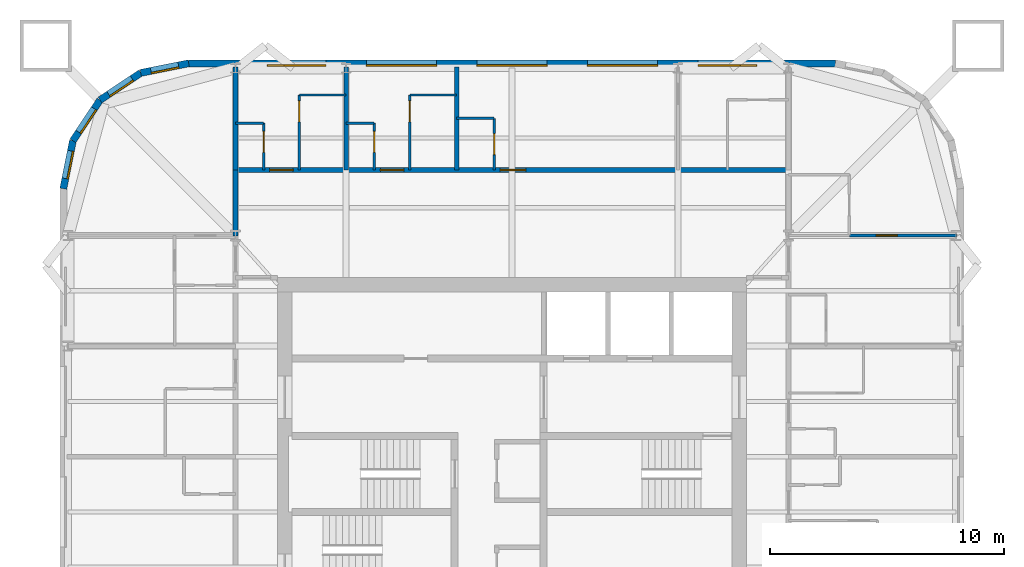
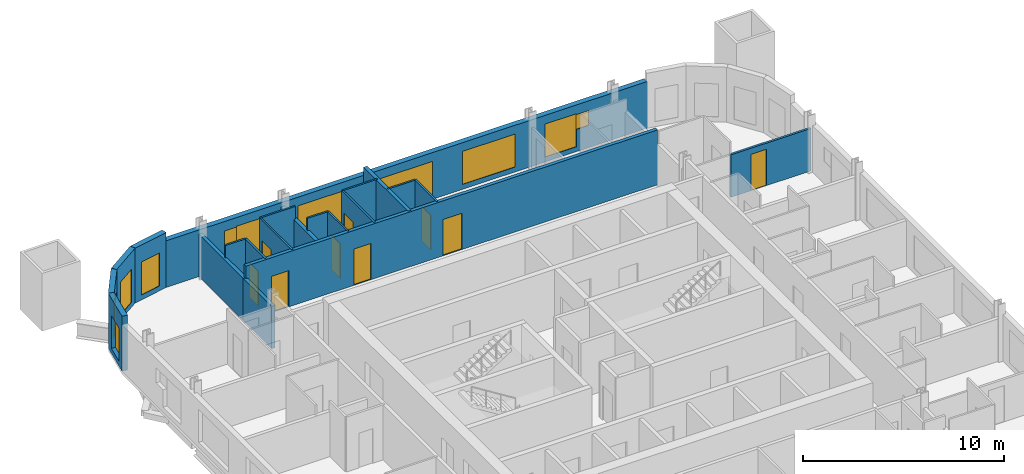
# One storey, part 7 of 9: 21 walls, 11 windows, 9 doors, 20 openings.
"""IFC4 building model written with IfcOpenShell, lengths in metres."""

from ifc_helpers import new_model, si_unit, direction, frame, frame_2d, origin, place, context, subcontext, project, spatial, rectangle, extrude, material, layer, layer_set, type_object, element, fill, save


model = new_model("IFC4")

# Units and contexts
model_context = context("Model", 3, precision=1e-05, world=origin(), true_north=direction((0.0, 1.0)))
body_context = subcontext(model_context, "Body", "Model", "MODEL_VIEW")
ifc_project = project(units=[si_unit("LENGTHUNIT", "METRE"), si_unit("AREAUNIT", "SQUARE_METRE"), si_unit("VOLUMEUNIT", "CUBIC_METRE"), si_unit("PLANEANGLEUNIT", "RADIAN"), si_unit("MASSUNIT", "GRAM", prefix="KILO")], contexts=[model_context])

# Site, building, storey
site_placement = place(None, origin())
site = spatial("IfcSite", under=ifc_project, at=site_placement, CompositionType="ELEMENT")
building_placement = place(site_placement, origin())
building = spatial("IfcBuilding", under=site, at=building_placement, Name="Turquesa Mirador Hotel Tower", CompositionType="ELEMENT")
storey_placement = place(building_placement, frame((0.0, 0.0, 207.300048828125)))
storey = spatial("IfcBuildingStorey", under=building, at=storey_placement, Name="L56", CompositionType="ELEMENT", Elevation=207.300048828125)

# Walls
ifc_material_1 = material(Name="Gypsum board on steel studs", Category="steel")
ifc_layer_1 = layer(ifc_material_1, 0.10009765625)
ifc_layer_set_1 = layer_set([ifc_layer_1], Name="BATHROOM WALL 100")
wall_type_1 = type_object("IfcWallType", Name="BATHROOM WALL 100", PredefinedType="PARTITIONING", material=ifc_layer_set_1)
wall_1_placement = place(storey_placement, frame((43.199951171875, 61.60009765625, 0.0), z_axis=(0.0, 0.0, 1.0), x_axis=(1.0, 0.0, 0.0)))
element("IfcWall", 1, at=wall_1_placement, inside=storey, type_object=wall_type_1, Name="Partition L56 029", PredefinedType="PARTITIONING", context=body_context, shape_type="SweptSolid", body=[
    extrude(rectangle(XDim=1.199951171875, YDim=0.10009765625, at=frame_2d((0.60009765625, 0.0))), origin(), (0.0, 0.0, 1.0), 3.329833984375),
])
wall_2_placement = place(storey_placement, frame((47.919921875, 61.60009765625, 0.0), z_axis=(0.0, 0.0, 1.0), x_axis=(1.0, 0.0, 0.0)))
element("IfcWall", 2, at=wall_2_placement, inside=storey, type_object=wall_type_1, Name="Partition L56 030", PredefinedType="PARTITIONING", context=body_context, shape_type="SweptSolid", body=[
    extrude(rectangle(XDim=1.2001953125, YDim=0.10009765625, at=frame_2d((0.60009765625, 0.0))), origin(), (0.0, 0.0, 1.0), 3.329833984375),
])
wall_3_placement = place(storey_placement, frame((52.639892578125, 61.800048828125, 0.0), z_axis=(0.0, 0.0, 1.0), x_axis=(1.0, 0.0, 0.0)))
element("IfcWall", 3, at=wall_3_placement, inside=storey, type_object=wall_type_1, Name="Partition L56 031", PredefinedType="PARTITIONING", context=body_context, shape_type="SweptSolid", body=[
    extrude(rectangle(XDim=1.60009765625, YDim=0.10009765625, at=frame_2d((0.800048828125, 0.0))), origin(), (0.0, 0.0, 1.0), 3.329833984375),
])
for number, where, z_axis, x_axis, name in (
    (4, (45.919921875, 62.800048828125, 0.0), (0.0, 0.0, 1.0), (1.0, 0.0, 0.0), "Partition L56 033"),
    (5, (50.639892578125, 62.800048828125, 0.0), (0.0, 0.0, 1.0), (1.0, 0.0, 0.0), "Partition L56 034"),
):
    element("IfcWall", number, at=place(storey_placement, frame(where, z_axis=z_axis, x_axis=x_axis)), inside=storey, type_object=wall_type_1, Name=name, PredefinedType="PARTITIONING", context=body_context, shape_type="SweptSolid", body=[
        extrude(rectangle(XDim=2.0, YDim=0.10009765625, at=frame_2d((1.0, 0.0))), origin(), (0.0, 0.0, 1.0), 3.329833984375),
    ])

# Wall, opening, door
wall_4_placement = place(storey_placement, frame((54.239990234375, 59.60009765625, 0.0), z_axis=(0.0, 0.0, 1.0), x_axis=(0.0, 1.0, 0.0)))
wall_4 = element("IfcWall", 6, at=wall_4_placement, inside=storey, type_object=wall_type_1, Name="Partition L56 045", PredefinedType="PARTITIONING", context=body_context, shape_type="SweptSolid", body=[
    extrude(rectangle(XDim=2.199951171875, YDim=0.10009765625, at=frame_2d((1.10009765625, 0.0))), origin(), (0.0, 0.0, 1.0), 3.329833984375),
])
opening_1_placement = place(wall_4_placement, frame((0.64990234375, 0.0, 0.0)))
opening_1 = element("IfcOpeningElement", 7, at=opening_1_placement, cuts=wall_4, Name="Opening D06", PredefinedType="OPENING", context=body_context, shape_type="SweptSolid", body=[
    extrude(rectangle(XDim=0.89990234375, YDim=2.10009765625, at=frame_2d((0.449951171875, 1.050048828125))), frame((0.0, 0.06005859375, 0.0), z_axis=(0.0, -1.0, 0.0), x_axis=(1.0, 0.0, 0.0)), (0.0, 0.0, 1.0), 0.1201171875),
])
ifc_material_2 = material(Name="Laminate door", Category="wood")
door_type_1 = type_object("IfcDoorType", Name="DOOR 900X2100 WC", OperationType="SINGLE_SWING_LEFT", PredefinedType="DOOR", material=ifc_material_2)
door_1_placement = place(opening_1_placement, origin())
door_1 = element("IfcDoor", 8, at=door_1_placement, inside=storey, type_object=door_type_1, Name="Door 5603W", OperationType="SINGLE_SWING_LEFT", OverallHeight=2.10009765625, OverallWidth=0.89990234375, PredefinedType="DOOR", context=body_context, shape_type="SweptSolid", body=[
    extrude(rectangle(XDim=0.89990234375, YDim=2.10009765625, at=frame_2d((0.449951171875, 1.050048828125))), frame((0.0, 0.02490234375, 0.0), z_axis=(0.0, -1.0, 0.0), x_axis=(1.0, 0.0, 0.0)), (0.0, 0.0, 1.0), 0.050048828125),
])
fill(opening_1, door_1)

wall_5_placement = place(storey_placement, frame((44.39990234375, 59.60009765625, 0.0), z_axis=(0.0, 0.0, 1.0), x_axis=(0.0, 1.0, 0.0)))
wall_5 = element("IfcWall", 9, at=wall_5_placement, inside=storey, type_object=wall_type_1, Name="Partition L56 046", PredefinedType="PARTITIONING", context=body_context, shape_type="SweptSolid", body=[
    extrude(rectangle(XDim=2.0, YDim=0.10009765625, at=frame_2d((1.0, 0.0))), origin(), (0.0, 0.0, 1.0), 3.329833984375),
])
opening_2_placement = place(wall_5_placement, frame((0.75, 0.0, 0.0)))
opening_2 = element("IfcOpeningElement", 10, at=opening_2_placement, cuts=wall_5, Name="Opening D06", PredefinedType="OPENING", context=body_context, shape_type="SweptSolid", body=[
    extrude(rectangle(XDim=0.89990234375, YDim=2.10009765625, at=frame_2d((0.449951171875, 1.050048828125))), frame((0.0, 0.06005859375, 0.0), z_axis=(0.0, -1.0, 0.0), x_axis=(1.0, 0.0, 0.0)), (0.0, 0.0, 1.0), 0.1201171875),
])
door_2_placement = place(opening_2_placement, origin())
door_2 = element("IfcDoor", 11, at=door_2_placement, inside=storey, type_object=door_type_1, Name="Door 5601W", OperationType="SINGLE_SWING_LEFT", OverallHeight=2.10009765625, OverallWidth=0.89990234375, PredefinedType="DOOR", context=body_context, shape_type="SweptSolid", body=[
    extrude(rectangle(XDim=0.89990234375, YDim=2.10009765625, at=frame_2d((0.449951171875, 1.050048828125))), frame((0.0, 0.02490234375, 0.0), z_axis=(0.0, -1.0, 0.0), x_axis=(1.0, 0.0, 0.0)), (0.0, 0.0, 1.0), 0.050048828125),
])
fill(opening_2, door_2)

wall_6_placement = place(storey_placement, frame((50.639892578125, 59.60009765625, 0.0), z_axis=(0.0, 0.0, 1.0), x_axis=(0.0, 1.0, 0.0)))
wall_6 = element("IfcWall", 12, at=wall_6_placement, inside=storey, type_object=wall_type_1, Name="Partition L56 058", PredefinedType="PARTITIONING", context=body_context, shape_type="SweptSolid", body=[
    extrude(rectangle(XDim=3.199951171875, YDim=0.10009765625, at=frame_2d((1.60009765625, 0.0))), origin(), (0.0, 0.0, 1.0), 3.329833984375),
])
opening_3_placement = place(wall_6_placement, frame((2.050048828125, 0.0, 0.0)))
opening_3 = element("IfcOpeningElement", 13, at=opening_3_placement, cuts=wall_6, Name="Opening D02", PredefinedType="OPENING", context=body_context, shape_type="SweptSolid", body=[
    extrude(rectangle(XDim=0.89990234375, YDim=2.10009765625, at=frame_2d((0.449951171875, 1.050048828125))), frame((0.0, 0.06005859375, 0.0), z_axis=(0.0, -1.0, 0.0), x_axis=(1.0, 0.0, 0.0)), (0.0, 0.0, 1.0), 0.1201171875),
])
ifc_material_3 = material(Name="Timber veneered door", Category="wood")
door_type_2 = type_object("IfcDoorType", Name="DOOR 900X2100 EN-SUITE", OperationType="SINGLE_SWING_RIGHT", PredefinedType="DOOR", material=ifc_material_3)
door_3_placement = place(opening_3_placement, origin())
door_3 = element("IfcDoor", 14, at=door_3_placement, inside=storey, type_object=door_type_2, Name="Door 5602B", OperationType="SINGLE_SWING_RIGHT", OverallHeight=2.10009765625, OverallWidth=0.89990234375, PredefinedType="DOOR", context=body_context, shape_type="SweptSolid", body=[
    extrude(rectangle(XDim=0.89990234375, YDim=2.10009765625, at=frame_2d((0.449951171875, 1.050048828125))), frame((0.0, 0.02490234375, 0.0), z_axis=(0.0, -1.0, 0.0), x_axis=(1.0, 0.0, 0.0)), (0.0, 0.0, 1.0), 0.050048828125),
])
fill(opening_3, door_3)

wall_7_placement = place(storey_placement, frame((49.1201171875, 59.60009765625, 0.0), z_axis=(0.0, 0.0, 1.0), x_axis=(0.0, 1.0, 0.0)))
wall_7 = element("IfcWall", 15, at=wall_7_placement, inside=storey, type_object=wall_type_1, Name="Partition L56 060", PredefinedType="PARTITIONING", context=body_context, shape_type="SweptSolid", body=[
    extrude(rectangle(XDim=2.0, YDim=0.10009765625, at=frame_2d((1.0, 0.0))), origin(), (0.0, 0.0, 1.0), 3.329833984375),
])
opening_4_placement = place(wall_7_placement, frame((0.75, 0.0, 0.0)))
opening_4 = element("IfcOpeningElement", 16, at=opening_4_placement, cuts=wall_7, Name="Opening D06", PredefinedType="OPENING", context=body_context, shape_type="SweptSolid", body=[
    extrude(rectangle(XDim=0.89990234375, YDim=2.10009765625, at=frame_2d((0.449951171875, 1.050048828125))), frame((0.0, 0.06005859375, 0.0), z_axis=(0.0, -1.0, 0.0), x_axis=(1.0, 0.0, 0.0)), (0.0, 0.0, 1.0), 0.1201171875),
])
door_4_placement = place(opening_4_placement, origin())
door_4 = element("IfcDoor", 17, at=door_4_placement, inside=storey, type_object=door_type_1, Name="Door 5602W", OperationType="SINGLE_SWING_LEFT", OverallHeight=2.10009765625, OverallWidth=0.89990234375, PredefinedType="DOOR", context=body_context, shape_type="SweptSolid", body=[
    extrude(rectangle(XDim=0.89990234375, YDim=2.10009765625, at=frame_2d((0.449951171875, 1.050048828125))), frame((0.0, 0.02490234375, 0.0), z_axis=(0.0, -1.0, 0.0), x_axis=(1.0, 0.0, 0.0)), (0.0, 0.0, 1.0), 0.050048828125),
])
fill(opening_4, door_4)

wall_8_placement = place(storey_placement, frame((45.919921875, 59.60009765625, 0.0), z_axis=(0.0, 0.0, 1.0), x_axis=(0.0, 1.0, 0.0)))
wall_8 = element("IfcWall", 18, at=wall_8_placement, inside=storey, type_object=wall_type_1, Name="Partition L56 063", PredefinedType="PARTITIONING", context=body_context, shape_type="SweptSolid", body=[
    extrude(rectangle(XDim=3.199951171875, YDim=0.10009765625, at=frame_2d((1.60009765625, 0.0))), origin(), (0.0, 0.0, 1.0), 3.329833984375),
])
opening_5_placement = place(wall_8_placement, frame((2.050048828125, 0.0, 0.0)))
opening_5 = element("IfcOpeningElement", 19, at=opening_5_placement, cuts=wall_8, Name="Opening D02", PredefinedType="OPENING", context=body_context, shape_type="SweptSolid", body=[
    extrude(rectangle(XDim=0.89990234375, YDim=2.10009765625, at=frame_2d((0.449951171875, 1.050048828125))), frame((0.0, 0.06005859375, 0.0), z_axis=(0.0, -1.0, 0.0), x_axis=(1.0, 0.0, 0.0)), (0.0, 0.0, 1.0), 0.1201171875),
])
door_5_placement = place(opening_5_placement, origin())
door_5 = element("IfcDoor", 20, at=door_5_placement, inside=storey, type_object=door_type_2, Name="Door 5601B", OperationType="SINGLE_SWING_RIGHT", OverallHeight=2.10009765625, OverallWidth=0.89990234375, PredefinedType="DOOR", context=body_context, shape_type="SweptSolid", body=[
    extrude(rectangle(XDim=0.89990234375, YDim=2.10009765625, at=frame_2d((0.449951171875, 1.050048828125))), frame((0.0, 0.02490234375, 0.0), z_axis=(0.0, -1.0, 0.0), x_axis=(1.0, 0.0, 0.0)), (0.0, 0.0, 1.0), 0.050048828125),
])
fill(opening_5, door_5)

# Wall, openings, doors
ifc_material_4 = material(Name="Fire-rated gypsum board on steel studs", Category="steel")
ifc_layer_2 = layer(ifc_material_4, 0.199951171875)
ifc_layer_set_2 = layer_set([ifc_layer_2], Name="CORRIDOR WALL 200")
wall_type_2 = type_object("IfcWallType", Name="CORRIDOR WALL 200", PredefinedType="PARTITIONING", material=ifc_layer_set_2)
wall_9_placement = place(storey_placement, frame((43.199951171875, 59.60009765625, 0.0), z_axis=(0.0, 0.0, 1.0), x_axis=(1.0, 0.0, 0.0)))
wall_9 = element("IfcWall", 21, at=wall_9_placement, inside=storey, type_object=wall_type_2, Name="Partition L56 028", PredefinedType="PARTITIONING", context=body_context, shape_type="SweptSolid", body=[
    extrude(rectangle(XDim=23.60009765625, YDim=0.199951171875, at=frame_2d((11.800048828125, 0.0))), origin(), (0.0, 0.0, 1.0), 3.329833984375),
])
opening_6_placement = place(wall_9_placement, frame((1.4599609375, 0.0, 0.0)))
opening_6 = element("IfcOpeningElement", 22, at=opening_6_placement, cuts=wall_9, Name="Opening D01", PredefinedType="OPENING", context=body_context, shape_type="SweptSolid", body=[
    extrude(rectangle(XDim=1.0, YDim=2.199951171875, at=frame_2d((0.5, 1.10009765625))), frame((0.0, 0.10986328125, 0.0), z_axis=(0.0, -1.0, 0.0), x_axis=(1.0, 0.0, 0.0)), (0.0, 0.0, 1.0), 0.219970703125),
])
opening_7_placement = place(wall_9_placement, frame((6.179931640625, 0.0, 0.0)))
opening_7 = element("IfcOpeningElement", 23, at=opening_7_placement, cuts=wall_9, Name="Opening D01", PredefinedType="OPENING", context=body_context, shape_type="SweptSolid", body=[
    extrude(rectangle(XDim=1.0, YDim=2.199951171875, at=frame_2d((0.5, 1.10009765625))), frame((0.0, 0.10986328125, 0.0), z_axis=(0.0, -1.0, 0.0), x_axis=(1.0, 0.0, 0.0)), (0.0, 0.0, 1.0), 0.219970703125),
])
opening_8_placement = place(wall_9_placement, frame((11.2900390625, 0.0, 0.0)))
opening_8 = element("IfcOpeningElement", 24, at=opening_8_placement, cuts=wall_9, Name="Opening D15", PredefinedType="OPENING", context=body_context, shape_type="SweptSolid", body=[
    extrude(rectangle(XDim=1.10009765625, YDim=2.199951171875, at=frame_2d((0.550048828125, 1.10009765625))), frame((0.0, 0.10986328125, 0.0), z_axis=(0.0, -1.0, 0.0), x_axis=(1.0, 0.0, 0.0)), (0.0, 0.0, 1.0), 0.219970703125),
])
ifc_material_5 = material(Name="Timber veneered fire door", Category="wood")
door_type_3 = type_object("IfcDoorType", Name="DOOR 1000X2200 GUEST ENTRY", OperationType="SINGLE_SWING_LEFT", PredefinedType="DOOR", material=ifc_material_5)
door_6_placement = place(opening_6_placement, origin())
door_6 = element("IfcDoor", 25, at=door_6_placement, inside=storey, type_object=door_type_3, Name="Door 5601", OperationType="SINGLE_SWING_LEFT", OverallHeight=2.199951171875, OverallWidth=1.0, PredefinedType="DOOR", context=body_context, shape_type="SweptSolid", body=[
    extrude(rectangle(XDim=1.0, YDim=2.199951171875, at=frame_2d((0.5, 1.10009765625))), frame((0.0, 0.02490234375, 0.0), z_axis=(0.0, -1.0, 0.0), x_axis=(1.0, 0.0, 0.0)), (0.0, 0.0, 1.0), 0.050048828125),
])
fill(opening_6, door_6)
door_7_placement = place(opening_7_placement, origin())
door_7 = element("IfcDoor", 26, at=door_7_placement, inside=storey, type_object=door_type_3, Name="Door 5602", OperationType="SINGLE_SWING_LEFT", OverallHeight=2.199951171875, OverallWidth=1.0, PredefinedType="DOOR", context=body_context, shape_type="SweptSolid", body=[
    extrude(rectangle(XDim=1.0, YDim=2.199951171875, at=frame_2d((0.5, 1.10009765625))), frame((0.0, 0.02490234375, 0.0), z_axis=(0.0, -1.0, 0.0), x_axis=(1.0, 0.0, 0.0)), (0.0, 0.0, 1.0), 0.050048828125),
])
fill(opening_7, door_7)
ifc_material_6 = material(Name="Timber veneered fire door", Category="wood")
door_type_4 = type_object("IfcDoorType", Name="DOOR 1100X2200 SUITE ENTRY", OperationType="SINGLE_SWING_LEFT", PredefinedType="DOOR", material=ifc_material_6)
door_8_placement = place(opening_8_placement, origin())
door_8 = element("IfcDoor", 27, at=door_8_placement, inside=storey, type_object=door_type_4, Name="Door 5603", OperationType="SINGLE_SWING_LEFT", OverallHeight=2.199951171875, OverallWidth=1.10009765625, PredefinedType="DOOR", context=body_context, shape_type="SweptSolid", body=[
    extrude(rectangle(XDim=1.10009765625, YDim=2.199951171875, at=frame_2d((0.550048828125, 1.10009765625))), frame((0.0, 0.02490234375, 0.0), z_axis=(0.0, -1.0, 0.0), x_axis=(1.0, 0.0, 0.0)), (0.0, 0.0, 1.0), 0.050048828125),
])
fill(opening_8, door_8)

# Wall
wall_10_placement = place(storey_placement, frame((43.199951171875, 56.780029296875, 0.0), z_axis=(0.0, 0.0, 1.0), x_axis=(0.0, 1.0, 0.0)))
element("IfcWall", 28, at=wall_10_placement, inside=storey, type_object=wall_type_2, Name="Partition L56 085", PredefinedType="PARTITIONING", context=body_context, shape_type="SweptSolid", body=[
    extrude(rectangle(XDim=2.820068359375, YDim=0.199951171875, at=frame_2d((1.41015625, 0.0))), origin(), (0.0, 0.0, 1.0), 2.572998046875),
])

# Wall, openings, windows
ifc_material_7 = material(Name="Limestone cladding on concrete block", Category="masonry")
ifc_layer_3 = layer(ifc_material_7, 0.300048828125)
ifc_layer_set_3 = layer_set([ifc_layer_3], Name="FACADE WALL 300 STONE SCREEN")
wall_type_3 = type_object("IfcWallType", Name="FACADE WALL 300 STONE SCREEN", PredefinedType="SOLIDWALL", material=ifc_layer_set_3)
wall_11_placement = place(storey_placement, frame((68.800048828125, 64.14990234375, 0.0), z_axis=(0.0, 0.0, 1.0), x_axis=(-1.0, 0.0, 0.0)))
wall_11 = element("IfcWall", 29, at=wall_11_placement, inside=storey, type_object=wall_type_3, Name="Facade wall L56 09", PredefinedType="SOLIDWALL", context=body_context, shape_type="SweptSolid", body=[
    extrude(rectangle(XDim=27.60009765625, YDim=0.300048828125, at=frame_2d((13.800048828125, 0.0))), origin(), (0.0, 0.0, 1.0), 2.829833984375),
])
opening_9_placement = place(wall_11_placement, frame((4.06005859375, 0.0, 0.300048828125)))
opening_9 = element("IfcOpeningElement", 30, at=opening_9_placement, cuts=wall_11, Name="Opening WN47", PredefinedType="OPENING", context=body_context, shape_type="SweptSolid", body=[
    extrude(rectangle(XDim=1.800048828125, YDim=2.0, at=frame_2d((0.89990234375, 1.0))), frame((0.0, 0.159912109375, 0.0), z_axis=(0.0, -1.0, 0.0), x_axis=(1.0, 0.0, 0.0)), (0.0, 0.0, 1.0), 0.320068359375),
])
opening_10_placement = place(wall_11_placement, frame((7.580078125, 0.0, 0.300048828125)))
opening_10 = element("IfcOpeningElement", 31, at=opening_10_placement, cuts=wall_11, Name="Opening WN1", PredefinedType="OPENING", context=body_context, shape_type="SweptSolid", body=[
    extrude(rectangle(XDim=3.0, YDim=2.0, at=frame_2d((1.5, 1.0))), frame((0.0, 0.159912109375, 0.0), z_axis=(0.0, -1.0, 0.0), x_axis=(1.0, 0.0, 0.0)), (0.0, 0.0, 1.0), 0.320068359375),
])
opening_11_placement = place(wall_11_placement, frame((12.300048828125, 0.0, 0.300048828125)))
opening_11 = element("IfcOpeningElement", 32, at=opening_11_placement, cuts=wall_11, Name="Opening WN1", PredefinedType="OPENING", context=body_context, shape_type="SweptSolid", body=[
    extrude(rectangle(XDim=3.0, YDim=2.0, at=frame_2d((1.5, 1.0))), frame((0.0, 0.159912109375, 0.0), z_axis=(0.0, -1.0, 0.0), x_axis=(1.0, 0.0, 0.0)), (0.0, 0.0, 1.0), 0.320068359375),
])
opening_12_placement = place(wall_11_placement, frame((17.02001953125, 0.0, 0.300048828125)))
opening_12 = element("IfcOpeningElement", 33, at=opening_12_placement, cuts=wall_11, Name="Opening WN1", PredefinedType="OPENING", context=body_context, shape_type="SweptSolid", body=[
    extrude(rectangle(XDim=3.0, YDim=2.0, at=frame_2d((1.5, 1.0))), frame((0.0, 0.159912109375, 0.0), z_axis=(0.0, -1.0, 0.0), x_axis=(1.0, 0.0, 0.0)), (0.0, 0.0, 1.0), 0.320068359375),
])
opening_13_placement = place(wall_11_placement, frame((21.739990234375, 0.0, 0.300048828125)))
opening_13 = element("IfcOpeningElement", 34, at=opening_13_placement, cuts=wall_11, Name="Opening WN47", PredefinedType="OPENING", context=body_context, shape_type="SweptSolid", body=[
    extrude(rectangle(XDim=1.800048828125, YDim=2.0, at=frame_2d((0.89990234375, 1.0))), frame((0.0, 0.159912109375, 0.0), z_axis=(0.0, -1.0, 0.0), x_axis=(1.0, 0.0, 0.0)), (0.0, 0.0, 1.0), 0.320068359375),
])
opening_14_placement = place(wall_11_placement, frame((3.360107421875, 0.0, 1.35009765625)))
opening_14 = element("IfcOpeningElement", 35, at=opening_14_placement, cuts=wall_11, Name="Opening WN31", PredefinedType="OPENING", context=body_context, shape_type="SweptSolid", body=[
    extrude(rectangle(XDim=0.699951171875, YDim=0.89990234375, at=frame_2d((0.35009765625, 0.449951171875))), frame((0.0, 0.159912109375, 0.0), z_axis=(0.0, -1.0, 0.0), x_axis=(1.0, 0.0, 0.0)), (0.0, 0.0, 1.0), 0.320068359375),
])
opening_15_placement = place(wall_11_placement, frame((23.5400390625, 0.0, 1.35009765625)))
opening_15 = element("IfcOpeningElement", 36, at=opening_15_placement, cuts=wall_11, Name="Opening WN31", PredefinedType="OPENING", context=body_context, shape_type="SweptSolid", body=[
    extrude(rectangle(XDim=0.699951171875, YDim=0.89990234375, at=frame_2d((0.35009765625, 0.449951171875))), frame((0.0, 0.159912109375, 0.0), z_axis=(0.0, -1.0, 0.0), x_axis=(1.0, 0.0, 0.0)), (0.0, 0.0, 1.0), 0.320068359375),
])
ifc_material_8 = material(Name="Ceramic-fritted laminated glass", Category="glass")
window_type_1 = type_object("IfcWindowType", Name="FRITTED WINDOW 1800X2000", PartitioningType="DOUBLE_PANEL_HORIZONTAL", PredefinedType="WINDOW", material=ifc_material_8)
window_1_placement = place(opening_9_placement, origin())
window_1 = element("IfcWindow", 37, at=window_1_placement, inside=storey, type_object=window_type_1, Name="Window L56", OverallHeight=2.0, OverallWidth=1.800048828125, PartitioningType="SINGLE_PANEL", PredefinedType="WINDOW", context=body_context, shape_type="SweptSolid", body=[
    extrude(rectangle(XDim=1.800048828125, YDim=2.0, at=frame_2d((0.89990234375, 1.0))), frame((0.0, 0.130126953125, 0.0), z_axis=(0.0, -1.0, 0.0), x_axis=(1.0, 0.0, 0.0)), (0.0, 0.0, 1.0), 0.06005859375),
])
fill(opening_9, window_1)
window_2_placement = place(opening_13_placement, origin())
window_2 = element("IfcWindow", 38, at=window_2_placement, inside=storey, type_object=window_type_1, Name="Window L56", OverallHeight=2.0, OverallWidth=1.800048828125, PartitioningType="SINGLE_PANEL", PredefinedType="WINDOW", context=body_context, shape_type="SweptSolid", body=[
    extrude(rectangle(XDim=1.800048828125, YDim=2.0, at=frame_2d((0.89990234375, 1.0))), frame((0.0, 0.130126953125, 0.0), z_axis=(0.0, -1.0, 0.0), x_axis=(1.0, 0.0, 0.0)), (0.0, 0.0, 1.0), 0.06005859375),
])
fill(opening_13, window_2)
ifc_material_9 = material(Name="Ceramic-fritted laminated glass", Category="glass")
window_type_2 = type_object("IfcWindowType", Name="FRITTED WINDOW 3000X2000", PartitioningType="DOUBLE_PANEL_HORIZONTAL", PredefinedType="WINDOW", material=ifc_material_9)
window_3_placement = place(opening_10_placement, origin())
window_3 = element("IfcWindow", 39, at=window_3_placement, inside=storey, type_object=window_type_2, Name="Window L56", OverallHeight=2.0, OverallWidth=3.0, PartitioningType="SINGLE_PANEL", PredefinedType="WINDOW", context=body_context, shape_type="SweptSolid", body=[
    extrude(rectangle(XDim=3.0, YDim=2.0, at=frame_2d((1.5, 1.0))), frame((0.0, 0.130126953125, 0.0), z_axis=(0.0, -1.0, 0.0), x_axis=(1.0, 0.0, 0.0)), (0.0, 0.0, 1.0), 0.06005859375),
])
fill(opening_10, window_3)
window_4_placement = place(opening_11_placement, origin())
window_4 = element("IfcWindow", 40, at=window_4_placement, inside=storey, type_object=window_type_2, Name="Window L56", OverallHeight=2.0, OverallWidth=3.0, PartitioningType="SINGLE_PANEL", PredefinedType="WINDOW", context=body_context, shape_type="SweptSolid", body=[
    extrude(rectangle(XDim=3.0, YDim=2.0, at=frame_2d((1.5, 1.0))), frame((0.0, 0.130126953125, 0.0), z_axis=(0.0, -1.0, 0.0), x_axis=(1.0, 0.0, 0.0)), (0.0, 0.0, 1.0), 0.06005859375),
])
fill(opening_11, window_4)
window_5_placement = place(opening_12_placement, origin())
window_5 = element("IfcWindow", 41, at=window_5_placement, inside=storey, type_object=window_type_2, Name="Window L56", OverallHeight=2.0, OverallWidth=3.0, PartitioningType="SINGLE_PANEL", PredefinedType="WINDOW", context=body_context, shape_type="SweptSolid", body=[
    extrude(rectangle(XDim=3.0, YDim=2.0, at=frame_2d((1.5, 1.0))), frame((0.0, 0.130126953125, 0.0), z_axis=(0.0, -1.0, 0.0), x_axis=(1.0, 0.0, 0.0)), (0.0, 0.0, 1.0), 0.06005859375),
])
fill(opening_12, window_5)
ifc_material_10 = material(Name="Ceramic-fritted laminated glass", Category="glass")
window_type_3 = type_object("IfcWindowType", Name="FRITTED WINDOW 700X900", PartitioningType="DOUBLE_PANEL_HORIZONTAL", PredefinedType="WINDOW", material=ifc_material_10)
window_6_placement = place(opening_14_placement, origin())
window_6 = element("IfcWindow", 42, at=window_6_placement, inside=storey, type_object=window_type_3, Name="Window L56", OverallHeight=0.89990234375, OverallWidth=0.699951171875, PartitioningType="SINGLE_PANEL", PredefinedType="WINDOW", context=body_context, shape_type="SweptSolid", body=[
    extrude(rectangle(XDim=0.699951171875, YDim=0.89990234375, at=frame_2d((0.35009765625, 0.449951171875))), frame((0.0, 0.130126953125, 0.0), z_axis=(0.0, -1.0, 0.0), x_axis=(1.0, 0.0, 0.0)), (0.0, 0.0, 1.0), 0.06005859375),
])
fill(opening_14, window_6)
window_7_placement = place(opening_15_placement, origin())
window_7 = element("IfcWindow", 43, at=window_7_placement, inside=storey, type_object=window_type_3, Name="Window L56", OverallHeight=0.89990234375, OverallWidth=0.699951171875, PartitioningType="SINGLE_PANEL", PredefinedType="WINDOW", context=body_context, shape_type="SweptSolid", body=[
    extrude(rectangle(XDim=0.699951171875, YDim=0.89990234375, at=frame_2d((0.35009765625, 0.449951171875))), frame((0.0, 0.130126953125, 0.0), z_axis=(0.0, -1.0, 0.0), x_axis=(1.0, 0.0, 0.0)), (0.0, 0.0, 1.0), 0.06005859375),
])
fill(opening_15, window_7)

# Wall, opening, window
wall_12_placement = place(storey_placement, frame((41.199951171875, 64.14990234375, 0.0), z_axis=(0.0, 0.0, 1.0), x_axis=(-0.980787050784, -0.195081421501, 0.0)))
wall_12 = element("IfcWall", 44, at=wall_12_placement, inside=storey, type_object=wall_type_3, Name="Facade wall L56 10", PredefinedType="SOLIDWALL", context=body_context, shape_type="SweptSolid", body=[
    extrude(rectangle(XDim=2.08740234375, YDim=0.300048828125, at=frame_2d((1.043701171875, 0.0))), origin(), (0.0, 0.0, 1.0), 3.329833984375),
])
opening_16_placement = place(wall_12_placement, frame((0.443603515625, 0.0, 0.300048828125)))
opening_16 = element("IfcOpeningElement", 45, at=opening_16_placement, cuts=wall_12, Name="Opening WN4", PredefinedType="OPENING", context=body_context, shape_type="SweptSolid", body=[
    extrude(rectangle(XDim=1.199951171875, YDim=2.0, at=frame_2d((0.60009765625, 1.0))), frame((0.0, 0.159912109375, 0.0), z_axis=(0.0, -1.0, 0.0), x_axis=(1.0, 0.0, 0.0)), (0.0, 0.0, 1.0), 0.320068359375),
])
ifc_material_11 = material(Name="Ceramic-fritted laminated glass", Category="glass")
window_type_4 = type_object("IfcWindowType", Name="FRITTED CORNER WINDOW 1200X2000", PartitioningType="DOUBLE_PANEL_HORIZONTAL", PredefinedType="WINDOW", material=ifc_material_11)
window_8_placement = place(opening_16_placement, origin())
window_8 = element("IfcWindow", 46, at=window_8_placement, inside=storey, type_object=window_type_4, Name="Window L56", OverallHeight=2.0, OverallWidth=1.199951171875, PartitioningType="SINGLE_PANEL", PredefinedType="WINDOW", context=body_context, shape_type="SweptSolid", body=[
    extrude(rectangle(XDim=1.199951171875, YDim=2.0, at=frame_2d((0.60009765625, 1.0))), frame((0.0, 0.130126953125, 0.0), z_axis=(0.0, -1.0, 0.0), x_axis=(1.0, 0.0, 0.0)), (0.0, 0.0, 1.0), 0.06005859375),
])
fill(opening_16, window_8)

wall_13_placement = place(storey_placement, frame((39.152587890625, 63.74267578125, 0.0), z_axis=(0.0, 0.0, 1.0), x_axis=(-0.831474039234, -0.555563607591, 0.0)))
wall_13 = element("IfcWall", 47, at=wall_13_placement, inside=storey, type_object=wall_type_3, Name="Facade wall L56 11", PredefinedType="SOLIDWALL", context=body_context, shape_type="SweptSolid", body=[
    extrude(rectangle(XDim=2.08740234375, YDim=0.300048828125, at=frame_2d((1.043701171875, 0.0))), origin(), (0.0, 0.0, 1.0), 3.329833984375),
])
opening_17_placement = place(wall_13_placement, frame((0.443603515625, 0.0, 0.300048828125)))
opening_17 = element("IfcOpeningElement", 48, at=opening_17_placement, cuts=wall_13, Name="Opening WN4", PredefinedType="OPENING", context=body_context, shape_type="SweptSolid", body=[
    extrude(rectangle(XDim=1.199951171875, YDim=2.0, at=frame_2d((0.60009765625, 1.0))), frame((0.0, 0.159912109375, 0.0), z_axis=(0.0, -1.0, 0.0), x_axis=(1.0, 0.0, 0.0)), (0.0, 0.0, 1.0), 0.320068359375),
])
window_9_placement = place(opening_17_placement, origin())
window_9 = element("IfcWindow", 49, at=window_9_placement, inside=storey, type_object=window_type_4, Name="Window L56", OverallHeight=2.0, OverallWidth=1.199951171875, PartitioningType="SINGLE_PANEL", PredefinedType="WINDOW", context=body_context, shape_type="SweptSolid", body=[
    extrude(rectangle(XDim=1.199951171875, YDim=2.0, at=frame_2d((0.60009765625, 1.0))), frame((0.0, 0.130126953125, 0.0), z_axis=(0.0, -1.0, 0.0), x_axis=(1.0, 0.0, 0.0)), (0.0, 0.0, 1.0), 0.06005859375),
])
fill(opening_17, window_9)

wall_14_placement = place(storey_placement, frame((37.4169921875, 62.5830078125, 0.0), z_axis=(0.0, 0.0, 1.0), x_axis=(-0.555563607591, -0.831474039234, 0.0)))
wall_14 = element("IfcWall", 50, at=wall_14_placement, inside=storey, type_object=wall_type_3, Name="Facade wall L56 12", PredefinedType="SOLIDWALL", context=body_context, shape_type="SweptSolid", body=[
    extrude(rectangle(XDim=2.08740234375, YDim=0.300048828125, at=frame_2d((1.043701171875, 0.0))), origin(), (0.0, 0.0, 1.0), 3.329833984375),
])
opening_18_placement = place(wall_14_placement, frame((0.443603515625, 0.0, 0.300048828125)))
opening_18 = element("IfcOpeningElement", 51, at=opening_18_placement, cuts=wall_14, Name="Opening WN4", PredefinedType="OPENING", context=body_context, shape_type="SweptSolid", body=[
    extrude(rectangle(XDim=1.199951171875, YDim=2.0, at=frame_2d((0.60009765625, 1.0))), frame((0.0, 0.159912109375, 0.0), z_axis=(0.0, -1.0, 0.0), x_axis=(1.0, 0.0, 0.0)), (0.0, 0.0, 1.0), 0.320068359375),
])
window_10_placement = place(opening_18_placement, origin())
window_10 = element("IfcWindow", 52, at=window_10_placement, inside=storey, type_object=window_type_4, Name="Window L56", OverallHeight=2.0, OverallWidth=1.199951171875, PartitioningType="SINGLE_PANEL", PredefinedType="WINDOW", context=body_context, shape_type="SweptSolid", body=[
    extrude(rectangle(XDim=1.199951171875, YDim=2.0, at=frame_2d((0.60009765625, 1.0))), frame((0.0, 0.130126953125, 0.0), z_axis=(0.0, -1.0, 0.0), x_axis=(1.0, 0.0, 0.0)), (0.0, 0.0, 1.0), 0.06005859375),
])
fill(opening_18, window_10)

wall_15_placement = place(storey_placement, frame((36.25732421875, 60.847412109375, 0.0), z_axis=(0.0, 0.0, 1.0), x_axis=(-0.195081421501, -0.980787050784, 0.0)))
wall_15 = element("IfcWall", 53, at=wall_15_placement, inside=storey, type_object=wall_type_3, Name="Facade wall L56 13", PredefinedType="SOLIDWALL", context=body_context, shape_type="SweptSolid", body=[
    extrude(rectangle(XDim=2.08740234375, YDim=0.300048828125, at=frame_2d((1.043701171875, 0.0))), origin(), (0.0, 0.0, 1.0), 3.329833984375),
])
opening_19_placement = place(wall_15_placement, frame((0.443603515625, 0.0, 0.300048828125)))
opening_19 = element("IfcOpeningElement", 54, at=opening_19_placement, cuts=wall_15, Name="Opening WN4", PredefinedType="OPENING", context=body_context, shape_type="SweptSolid", body=[
    extrude(rectangle(XDim=1.199951171875, YDim=2.0, at=frame_2d((0.60009765625, 1.0))), frame((0.0, 0.159912109375, 0.0), z_axis=(0.0, -1.0, 0.0), x_axis=(1.0, 0.0, 0.0)), (0.0, 0.0, 1.0), 0.320068359375),
])
window_11_placement = place(opening_19_placement, origin())
window_11 = element("IfcWindow", 55, at=window_11_placement, inside=storey, type_object=window_type_4, Name="Window L56", OverallHeight=2.0, OverallWidth=1.199951171875, PartitioningType="SINGLE_PANEL", PredefinedType="WINDOW", context=body_context, shape_type="SweptSolid", body=[
    extrude(rectangle(XDim=1.199951171875, YDim=2.0, at=frame_2d((0.60009765625, 1.0))), frame((0.0, 0.130126953125, 0.0), z_axis=(0.0, -1.0, 0.0), x_axis=(1.0, 0.0, 0.0)), (0.0, 0.0, 1.0), 0.06005859375),
])
fill(opening_19, window_11)

# Walls
ifc_material_12 = material(Name="Fire-rated gypsum board on steel studs", Category="steel")
ifc_layer_4 = layer(ifc_material_12, 0.199951171875)
ifc_layer_set_4 = layer_set([ifc_layer_4], Name="PARTY WALL 200")
wall_type_4 = type_object("IfcWallType", Name="PARTY WALL 200", PredefinedType="PARTITIONING", material=ifc_layer_set_4)
wall_16_placement = place(storey_placement, frame((43.199951171875, 59.60009765625, 0.0), z_axis=(0.0, 0.0, 1.0), x_axis=(0.0, 1.0, 0.0)))
element("IfcWall", 56, at=wall_16_placement, inside=storey, type_object=wall_type_4, Name="Partition L56 049", PredefinedType="PARTITIONING", context=body_context, shape_type="SweptSolid", body=[
    extrude(rectangle(XDim=4.39990234375, YDim=0.199951171875, at=frame_2d((2.199951171875, 0.0))), origin(), (0.0, 0.0, 1.0), 2.572998046875),
])
wall_17_placement = place(storey_placement, frame((52.639892578125, 59.60009765625, 0.0), z_axis=(0.0, 0.0, 1.0), x_axis=(0.0, 1.0, 0.0)))
element("IfcWall", 57, at=wall_17_placement, inside=storey, type_object=wall_type_4, Name="Partition L56 057", PredefinedType="PARTITIONING", context=body_context, shape_type="SweptSolid", body=[
    extrude(rectangle(XDim=4.39990234375, YDim=0.199951171875, at=frame_2d((2.199951171875, 0.0))), origin(), (0.0, 0.0, 1.0), 3.329833984375),
])
wall_18_placement = place(storey_placement, frame((47.919921875, 59.60009765625, 0.0), z_axis=(0.0, 0.0, 1.0), x_axis=(0.0, 1.0, 0.0)))
element("IfcWall", 58, at=wall_18_placement, inside=storey, type_object=wall_type_4, Name="Partition L56 062", PredefinedType="PARTITIONING", context=body_context, shape_type="SweptSolid", body=[
    extrude(rectangle(XDim=4.39990234375, YDim=0.199951171875, at=frame_2d((2.199951171875, 0.0))), origin(), (0.0, 0.0, 1.0), 2.572998046875),
])

# Wall, opening, door
ifc_material_13 = material(Name="Acoustic gypsum board on steel studs", Category="steel")
ifc_layer_5 = layer(ifc_material_13, 0.125)
ifc_layer_set_5 = layer_set([ifc_layer_5], Name="SUITE PARTITION 125")
wall_type_5 = type_object("IfcWallType", Name="SUITE PARTITION 125", PredefinedType="PARTITIONING", material=ifc_layer_set_5)
wall_19_placement = place(storey_placement, frame((69.39990234375, 56.800048828125, 0.0), z_axis=(0.0, 0.0, 1.0), x_axis=(1.0, 0.0, 0.0)))
wall_19 = element("IfcWall", 59, at=wall_19_placement, inside=storey, type_object=wall_type_5, Name="Partition L56 026", PredefinedType="PARTITIONING", context=body_context, shape_type="SweptSolid", body=[
    extrude(rectangle(XDim=4.60009765625, YDim=0.125, at=frame_2d((2.300048828125, 0.0))), origin(), (0.0, 0.0, 1.0), 2.572998046875),
])
opening_20_placement = place(wall_19_placement, frame((1.14990234375, 0.0, 0.0)))
opening_20 = element("IfcOpeningElement", 60, at=opening_20_placement, cuts=wall_19, Name="Opening D17", PredefinedType="OPENING", context=body_context, shape_type="SweptSolid", body=[
    extrude(rectangle(XDim=0.89990234375, YDim=2.199951171875, at=frame_2d((0.449951171875, 1.10009765625))), frame((0.0, 0.072509765625, 0.0), z_axis=(0.0, -1.0, 0.0), x_axis=(1.0, 0.0, 0.0)), (0.0, 0.0, 1.0), 0.14501953125),
])
ifc_material_14 = material(Name="Timber veneered door", Category="wood")
door_type_5 = type_object("IfcDoorType", Name="DOOR 900X2200 SUITE INTERNAL", OperationType="SINGLE_SWING_LEFT", PredefinedType="DOOR", material=ifc_material_14)
door_9_placement = place(opening_20_placement, origin())
door_9 = element("IfcDoor", 61, at=door_9_placement, inside=storey, type_object=door_type_5, Name="Door 5612R", OperationType="SINGLE_SWING_LEFT", OverallHeight=2.199951171875, OverallWidth=0.89990234375, PredefinedType="DOOR", context=body_context, shape_type="SweptSolid", body=[
    extrude(rectangle(XDim=0.89990234375, YDim=2.199951171875, at=frame_2d((0.449951171875, 1.10009765625))), frame((0.0, 0.02490234375, 0.0), z_axis=(0.0, -1.0, 0.0), x_axis=(1.0, 0.0, 0.0)), (0.0, 0.0, 1.0), 0.050048828125),
])
fill(opening_20, door_9)

save(model, "model.ifc")
